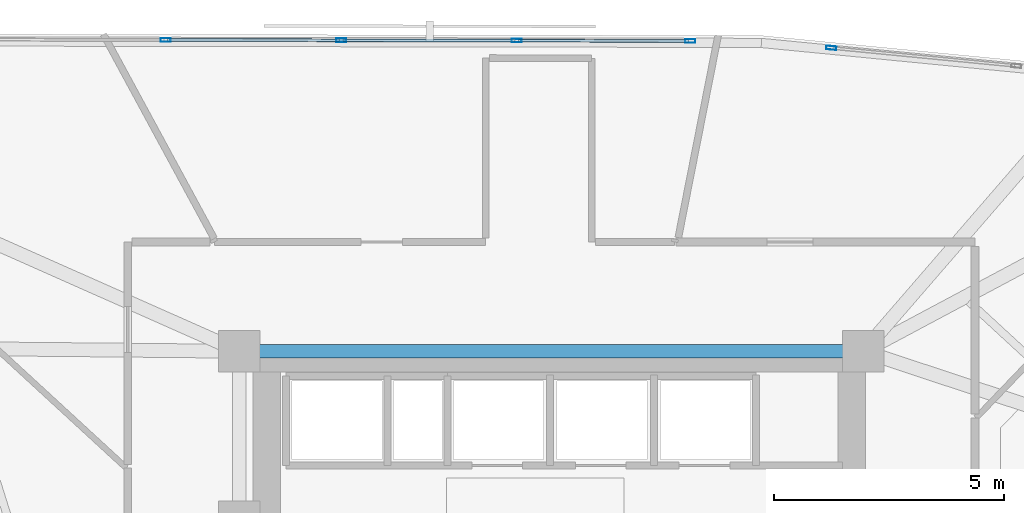
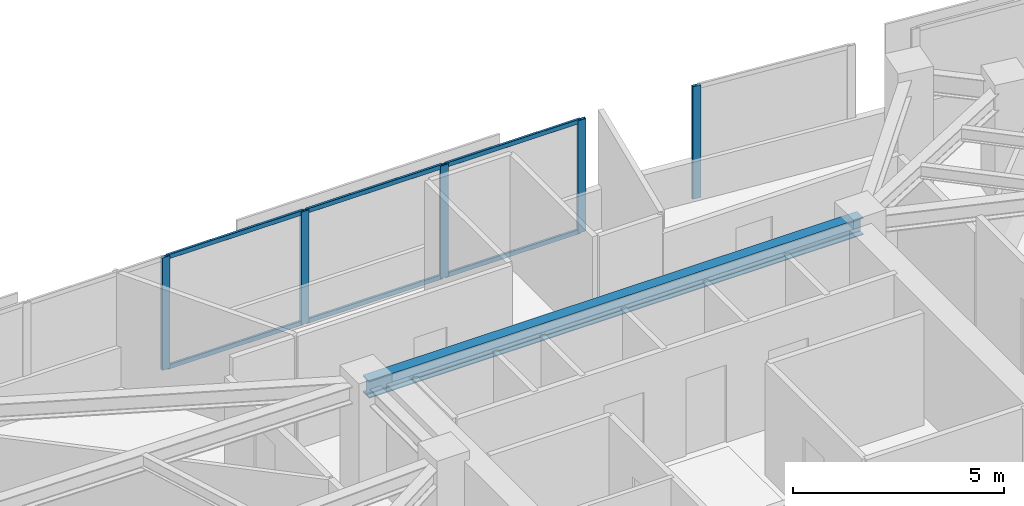
# One storey, part 3 of 13: 11 members, 1 beam, 2 elements without a shape of their own.
"""IFC4 building model written with IfcOpenShell, lengths in metres."""

import ifcopenshell
import ifcopenshell.guid

model = None  # the IFC model being written
_history = None  # IfcOwnerHistory: only IFC2X3 demands one
_inside = {}  # id of a spatial element -> (the spatial element, [elements in it])
_under = {}  # id of a project, library or spatial element -> (it, [spatial elements below it])
_declared = {}  # id of a project -> (the project, [libraries it declares])
_typed = {}  # id of a type object -> (the type object, [elements of that type])
_made_of = {}  # id of a material, layer set ... -> (it, [elements and type objects made of it])


def new_model(schema):
    """Start an empty IFC model of exactly this schema.

    Asked for "IFC4X3", IfcOpenShell would pick the latest addendum, in which some entities
    have other attributes; the version numbers below select the first issue.
    IFC2X3 requires an IfcOwnerHistory on every rooted entity: one is made here for all.
    """
    global model, _history
    if schema == "IFC4X3":
        model = ifcopenshell.file(schema_version=(4, 3, 0, 0))
    else:
        model = ifcopenshell.file(schema=schema)
    _inside.clear()
    _under.clear()
    _declared.clear()
    _typed.clear()
    _made_of.clear()
    _history = None
    if model.schema == "IFC2X3":
        org = make("IfcOrganization", Name="unknown")
        user = make(
            "IfcPersonAndOrganization",
            ThePerson=make("IfcPerson", FamilyName="unknown"),
            TheOrganization=org,
        )
        app = make(
            "IfcApplication",
            ApplicationDeveloper=org,
            Version="unknown",
            ApplicationFullName="unknown",
            ApplicationIdentifier="unknown",
        )
        _history = make(
            "IfcOwnerHistory",
            OwningUser=user,
            OwningApplication=app,
            ChangeAction="ADDED",
            CreationDate=0,
        )
    return model


def make(cls, **values):
    """One entity of the class cls with the attributes given. An attribute that is None is left unset."""
    return model.create_entity(
        cls, **{name: value for name, value in values.items() if value is not None}
    )


def rooted(cls, **values):
    """An entity with a GlobalId (a new one), such as an element, a storey or a relation."""
    return make(cls, GlobalId=ifcopenshell.guid.new(), OwnerHistory=_history, **values)


def si_unit(unit_type, name, prefix=None):
    """IfcSIUnit, for example si_unit("LENGTHUNIT", "METRE", prefix="MILLI")."""
    return make("IfcSIUnit", UnitType=unit_type, Prefix=prefix, Name=name)


def assignment(units):
    """IfcUnitAssignment: the units of a project."""
    return None if units is None else make("IfcUnitAssignment", Units=units)


def point(xyz):
    """IfcCartesianPoint."""
    return None if xyz is None else make("IfcCartesianPoint", Coordinates=xyz)


def direction(xyz):
    """IfcDirection."""
    return None if xyz is None else make("IfcDirection", DirectionRatios=xyz)


def frame(location, z_axis=None, x_axis=None):
    """IfcAxis2Placement3D, a coordinate frame: its origin and axes. An axis left out is left unset."""
    return make(
        "IfcAxis2Placement3D",
        Location=point(location),
        Axis=direction(z_axis),
        RefDirection=direction(x_axis),
    )


def frame_2d(location, x_axis=None):
    """IfcAxis2Placement2D, a coordinate frame in the plane: its origin and x axis."""
    return make(
        "IfcAxis2Placement2D", Location=point(location), RefDirection=direction(x_axis)
    )


def origin():
    """The frame at (0, 0, 0) with its axes left unset."""
    return frame((0.0, 0.0, 0.0))


def origin_2d():
    """The frame at (0, 0) in the plane with its x axis left unset."""
    return frame_2d((0.0, 0.0))


def place(relative_to, where):
    """IfcLocalPlacement: puts the frame where relative to a parent placement (None: the world)."""
    return make(
        "IfcLocalPlacement", PlacementRelTo=relative_to, RelativePlacement=where
    )


def context(
    kind, dimensions, precision=None, world=None, true_north=None, identifier=None
):
    """IfcGeometricRepresentationContext, for example the 3D "Model" context."""
    return make(
        "IfcGeometricRepresentationContext",
        ContextIdentifier=identifier,
        ContextType=kind,
        CoordinateSpaceDimension=dimensions,
        Precision=precision,
        WorldCoordinateSystem=world,
        TrueNorth=true_north,
    )


def subcontext(parent, identifier, kind, view, scale=None):
    """IfcGeometricRepresentationSubContext, for example "Body" below "Model"."""
    return make(
        "IfcGeometricRepresentationSubContext",
        ContextIdentifier=identifier,
        ContextType=kind,
        ParentContext=parent,
        TargetScale=scale,
        TargetView=view,
    )


def project(units=None, contexts=None):
    """IfcProject with its units and contexts."""
    return rooted(
        "IfcProject",
        Name="project",
        RepresentationContexts=contexts,
        UnitsInContext=assignment(units),
    )


def spatial(cls, under=None, at=None, **own):
    """A site, building, storey or space (cls), placed at a placement, below another one or the project."""
    s = rooted(cls, ObjectPlacement=at, **own)
    if under is not None:
        _under.setdefault(under.id(), (under, []))[1].append(s)
    return s


def profile(cls, at=None, kind="AREA", **sizes):
    """A parametric profile (cls). Its sizes go by their IFC names, for example OverallWidth=200.0."""
    return make(cls, ProfileType=kind, Position=at, **sizes)


def hollow_rectangle(**sizes):
    """IfcRectangleHollowProfileDef."""
    return profile("IfcRectangleHollowProfileDef", **sizes)


def i_section(**sizes):
    """IfcIShapeProfileDef."""
    return profile("IfcIShapeProfileDef", **sizes)


def extrude(swept, where, along, depth):
    """IfcExtrudedAreaSolid: the profile swept, set in the frame where, extruded along a direction by depth."""
    return make(
        "IfcExtrudedAreaSolid",
        SweptArea=swept,
        Position=where,
        ExtrudedDirection=direction(along),
        Depth=depth,
    )


def shape(context_of_items, identifier, shape_type, items):
    """IfcShapeRepresentation: the items that make up one representation, for example the "Body"."""
    return make(
        "IfcShapeRepresentation",
        ContextOfItems=context_of_items,
        RepresentationIdentifier=identifier,
        RepresentationType=shape_type,
        Items=items,
    )


def material(Name=None, Category=None):
    """IfcMaterial."""
    return make("IfcMaterial", Name=Name, Category=Category)


def material_profile(
    of_material, cross_section, Name=None, Category=None, Priority=None
):
    """IfcMaterialProfile: a cross section and its material."""
    return make(
        "IfcMaterialProfile",
        Name=Name,
        Material=of_material,
        Profile=cross_section,
        Priority=Priority,
        Category=Category,
    )


def profile_set(profiles, Name=None, composite=None):
    """IfcMaterialProfileSet."""
    return make(
        "IfcMaterialProfileSet",
        Name=Name,
        MaterialProfiles=profiles,
        CompositeProfile=composite,
    )


def made_of(thing, what):
    """Note that an element or type object is made of a material, layer set ...; save() writes the relation."""
    if what is not None:
        _made_of.setdefault(what.id(), (what, []))[1].append(thing)
    return thing


def type_object(cls, material=None, **own):
    """A type object (cls), such as IfcWallType, which elements share."""
    return made_of(rooted(cls, **own), material)


def element(
    cls,
    number,
    at=None,
    inside=None,
    cuts=None,
    type_object=None,
    material=None,
    context=None,
    identifier="Body",
    shape_type=None,
    held_by="IfcProductDefinitionShape",
    body=None,
    shapes=None,
    **own,
):
    """One element of the class cls, such as IfcWall. Its Tag is "e" and its number.

    at: its placement. inside: the storey or other place that contains it. cuts: it is an
    opening in that element (IfcRelVoidsElement). A single representation is given by context,
    identifier, shape_type and body (its items); several are given by shapes. held_by: the class
    of the entity that holds the representations. save() writes the other relations.
    """
    e = rooted(cls, Tag="e%d" % number, ObjectPlacement=at, **own)
    if body is not None:
        shapes = [shape(context, identifier, shape_type, body)]
    if shapes is not None:
        e.Representation = make(held_by, Representations=shapes)
    if inside is not None:
        _inside.setdefault(inside.id(), (inside, []))[1].append(e)
    if cuts is not None:
        rooted(
            "IfcRelVoidsElement", RelatingBuildingElement=cuts, RelatedOpeningElement=e
        )
    if type_object is not None:
        _typed.setdefault(type_object.id(), (type_object, []))[1].append(e)
    return made_of(e, material)


def aggregate(whole, parts):
    """IfcRelAggregates: a whole, such as a stair, and the parts it consists of."""
    return rooted("IfcRelAggregates", RelatingObject=whole, RelatedObjects=parts)


def save(model, path):
    """Write the relations noted so far, then the file.

    IfcRelAggregates (storeys below a building ...), IfcRelContainedInSpatialStructure (elements
    in a storey), IfcRelDefinesByType, IfcRelAssociatesMaterial and IfcRelDeclares: one each for
    every whole, place, type object, material and project.
    """
    for whole, parts in _under.values():
        aggregate(whole, parts)
    for where, things in _inside.values():
        rooted(
            "IfcRelContainedInSpatialStructure",
            RelatedElements=things,
            RelatingStructure=where,
        )
    for kind, things in _typed.values():
        rooted("IfcRelDefinesByType", RelatedObjects=things, RelatingType=kind)
    for what, things in _made_of.values():
        rooted("IfcRelAssociatesMaterial", RelatedObjects=things, RelatingMaterial=what)
    for by, libraries in _declared.values():
        rooted("IfcRelDeclares", RelatingContext=by, RelatedDefinitions=libraries)
    model.write(path)


model = new_model("IFC4")

# Units and contexts
model_context = context("Model", 3, precision=1e-05, world=origin(), true_north=direction((0.0, 1.0)))
body_context = subcontext(model_context, "Body", "Model", "MODEL_VIEW")
ifc_project = project(units=[si_unit("LENGTHUNIT", "METRE"), si_unit("AREAUNIT", "SQUARE_METRE"), si_unit("VOLUMEUNIT", "CUBIC_METRE"), si_unit("PLANEANGLEUNIT", "RADIAN"), si_unit("MASSUNIT", "GRAM", prefix="KILO")], contexts=[model_context])

# Site, building, storey
site_placement = place(None, origin())
site = spatial("IfcSite", under=ifc_project, at=site_placement, CompositionType="ELEMENT")
building_placement = place(site_placement, origin())
building = spatial("IfcBuilding", under=site, at=building_placement, Name="Narakoshi Arena Tower", CompositionType="ELEMENT")
storey_placement = place(building_placement, frame((0.0, 0.0, 239.6201171875)))
storey = spatial("IfcBuildingStorey", under=building, at=storey_placement, Name="L65", CompositionType="ELEMENT", Elevation=239.6201171875)

# Beam
ifc_material_1 = material(Name="Structural steel S355J2", Category="steel")
ifc_material_profile_1 = material_profile(ifc_material_1, i_section(OverallWidth=0.300048828125, OverallDepth=0.5, WebThickness=0.014404296875, FlangeThickness=0.028076171875, FilletRadius=0.027099609375, at=origin_2d()), Name="HE500B")
ifc_profile_set_1 = profile_set([ifc_material_profile_1], Name="Structural steel S355J2")
beam_type = type_object("IfcBeamType", Name="BM-PRI-500", PredefinedType="BEAM", material=ifc_profile_set_1)
beam_placement = place(storey_placement, frame((72.0, 56.5, 3.009765625), z_axis=(1.0, 0.0, 0.0), x_axis=(0.0, 1.0, 0.0)))
element("IfcBeam", 1, at=beam_placement, inside=storey, type_object=beam_type, Name="L65 Core Perimeter Frame Beam CC5-CC6", PredefinedType="BEAM", context=body_context, shape_type="SweptSolid", body=[
    extrude(i_section(OverallWidth=0.300048828125, OverallDepth=0.5, WebThickness=0.014404296875, FlangeThickness=0.028076171875, FilletRadius=0.027099609375, at=origin_2d()), origin(), (0.0, 0.0, 1.0), 13.550048828125),
])

# Curtain wall, member
ifc_material_2 = material(Name="Anodised bronze aluminium 6063-T6", Category="aluminium")
curtain_wall_type = type_object("IfcCurtainWallType", Name="CW-HYP-HIGH", PredefinedType="NOTDEFINED", material=ifc_material_2)
curtain_wall_1_placement = place(storey_placement, origin())
curtain_wall_1 = element("IfcCurtainWall", 2, at=curtain_wall_1_placement, inside=storey, type_object=curtain_wall_type, Name="L65 Folded Hypotenuse Curtain Wall 1-2", PredefinedType="NOTDEFINED")
ifc_material_profile_2 = material_profile(ifc_material_2, hollow_rectangle(XDim=0.080078125, YDim=0.219970703125, WallThickness=0.0048828125, OuterFilletRadius=0.006103515625, at=origin_2d()), Name="MUL220x80x5")
ifc_profile_set_2 = profile_set([ifc_material_profile_2], Name="Anodised bronze aluminium 6063-T6")
member_type_1 = type_object("IfcMemberType", Name="MEM-MUL-220", PredefinedType="MULLION", material=ifc_profile_set_2)
member_1_placement = place(storey_placement, frame((84.853515625, 63.084716796875, 0.0), z_axis=(0.0, 0.0, 1.0), x_axis=(-0.096842858471, -0.995299683896, 0.0)))
member_1 = element("IfcMember", 3, at=member_1_placement, type_object=member_type_1, Name="CW-03 mullion 2", PredefinedType="MULLION", context=body_context, shape_type="SweptSolid", body=[
    extrude(hollow_rectangle(XDim=0.080078125, YDim=0.219970703125, WallThickness=0.0048828125, OuterFilletRadius=0.006103515625, at=origin_2d()), origin(), (0.0, 0.0, 1.0), 3.259765625),
])
aggregate(curtain_wall_1, [member_1])

# Curtain wall, members
curtain_wall_2_placement = place(storey_placement, origin())
curtain_wall_2 = element("IfcCurtainWall", 4, at=curtain_wall_2_placement, inside=storey, type_object=curtain_wall_type, Name="L65 Folded Hypotenuse Curtain Wall 2-1", PredefinedType="NOTDEFINED")
member_2_placement = place(storey_placement, frame((81.792236328125, 63.236083984375, 0.0), z_axis=(0.0, 0.0, 1.0), x_axis=(-0.001819896899, -0.999998343986, 0.0)))
member_2 = element("IfcMember", 5, at=member_2_placement, type_object=member_type_1, Name="CW-03 mullion 1", PredefinedType="MULLION", context=body_context, shape_type="SweptSolid", body=[
    extrude(hollow_rectangle(XDim=0.080078125, YDim=0.219970703125, WallThickness=0.0048828125, OuterFilletRadius=0.006103515625, at=origin_2d()), origin(), (0.0, 0.0, 1.0), 3.259765625),
])
member_3_placement = place(storey_placement, frame((78.0224609375, 63.242919921875, 0.0), z_axis=(0.0, 0.0, 1.0), x_axis=(-0.001819896899, -0.999998343986, 0.0)))
member_3 = element("IfcMember", 6, at=member_3_placement, type_object=member_type_1, Name="CW-03 mullion 2", PredefinedType="MULLION", context=body_context, shape_type="SweptSolid", body=[
    extrude(hollow_rectangle(XDim=0.080078125, YDim=0.219970703125, WallThickness=0.0048828125, OuterFilletRadius=0.006103515625, at=origin_2d()), origin(), (0.0, 0.0, 1.0), 3.259765625),
])
member_4_placement = place(storey_placement, frame((74.212890625, 63.249755859375, 0.0), z_axis=(0.0, 0.0, 1.0), x_axis=(-0.001819896899, -0.999998343986, 0.0)))
member_4 = element("IfcMember", 7, at=member_4_placement, type_object=member_type_1, Name="CW-03 mullion 3", PredefinedType="MULLION", context=body_context, shape_type="SweptSolid", body=[
    extrude(hollow_rectangle(XDim=0.080078125, YDim=0.219970703125, WallThickness=0.0048828125, OuterFilletRadius=0.006103515625, at=origin_2d()), origin(), (0.0, 0.0, 1.0), 3.259765625),
])
member_5_placement = place(storey_placement, frame((70.403076171875, 63.2568359375, 0.0), z_axis=(0.0, 0.0, 1.0), x_axis=(-0.001819896899, -0.999998343986, 0.0)))
member_5 = element("IfcMember", 8, at=member_5_placement, type_object=member_type_1, Name="CW-03 mullion 4", PredefinedType="MULLION", context=body_context, shape_type="SweptSolid", body=[
    extrude(hollow_rectangle(XDim=0.080078125, YDim=0.219970703125, WallThickness=0.0048828125, OuterFilletRadius=0.006103515625, at=origin_2d()), origin(), (0.0, 0.0, 1.0), 3.259765625),
])
ifc_material_profile_3 = material_profile(ifc_material_2, hollow_rectangle(XDim=0.06494140625, YDim=0.1298828125, WallThickness=0.00390625, OuterFilletRadius=0.0048828125, at=origin_2d()), Name="TRN130x65x4")
ifc_profile_set_3 = profile_set([ifc_material_profile_3], Name="Anodised bronze aluminium 6063-T6")
member_type_2 = type_object("IfcMemberType", Name="MEM-TRN-130", PredefinedType="USERDEFINED", material=ifc_profile_set_3)
member_6_placement = place(storey_placement, frame((81.752197265625, 63.236083984375, 0.032470703125), z_axis=(-0.999998283738, 0.001852706408, 0.0), x_axis=(-0.001852706408, -0.999998283738, 0.0)))
member_6 = element("IfcMember", 9, at=member_6_placement, type_object=member_type_2, Name="CW-03 transom 1.1", ObjectType="TRANSOM", PredefinedType="USERDEFINED", context=body_context, shape_type="SweptSolid", body=[
    extrude(hollow_rectangle(XDim=0.06494140625, YDim=0.1298828125, WallThickness=0.00390625, OuterFilletRadius=0.0048828125, at=origin_2d()), origin(), (0.0, 0.0, 1.0), 3.689697265625),
])
member_7_placement = place(storey_placement, frame((81.752197265625, 63.236083984375, 3.227294921875), z_axis=(-0.999998283738, 0.001852706408, 0.0), x_axis=(-0.001852706408, -0.999998283738, 0.0)))
member_7 = element("IfcMember", 10, at=member_7_placement, type_object=member_type_2, Name="CW-03 transom 1.2", ObjectType="TRANSOM", PredefinedType="USERDEFINED", context=body_context, shape_type="SweptSolid", body=[
    extrude(hollow_rectangle(XDim=0.06494140625, YDim=0.1298828125, WallThickness=0.00390625, OuterFilletRadius=0.0048828125, at=origin_2d()), origin(), (0.0, 0.0, 1.0), 3.689697265625),
])
member_8_placement = place(storey_placement, frame((77.982666015625, 63.242919921875, 0.032470703125), z_axis=(-0.999998320389, 0.001832817502, 0.0), x_axis=(-0.001832817502, -0.999998320389, 0.0)))
member_8 = element("IfcMember", 11, at=member_8_placement, type_object=member_type_2, Name="CW-03 transom 2.1", ObjectType="TRANSOM", PredefinedType="USERDEFINED", context=body_context, shape_type="SweptSolid", body=[
    extrude(hollow_rectangle(XDim=0.06494140625, YDim=0.1298828125, WallThickness=0.00390625, OuterFilletRadius=0.0048828125, at=origin_2d()), origin(), (0.0, 0.0, 1.0), 3.729736328125),
])
member_9_placement = place(storey_placement, frame((77.982666015625, 63.242919921875, 3.227294921875), z_axis=(-0.999998320389, 0.001832817502, 0.0), x_axis=(-0.001832817502, -0.999998320389, 0.0)))
member_9 = element("IfcMember", 12, at=member_9_placement, type_object=member_type_2, Name="CW-03 transom 2.2", ObjectType="TRANSOM", PredefinedType="USERDEFINED", context=body_context, shape_type="SweptSolid", body=[
    extrude(hollow_rectangle(XDim=0.06494140625, YDim=0.1298828125, WallThickness=0.00390625, OuterFilletRadius=0.0048828125, at=origin_2d()), origin(), (0.0, 0.0, 1.0), 3.729736328125),
])
member_10_placement = place(storey_placement, frame((74.1728515625, 63.25, 0.032470703125), z_axis=(-0.999998320389, 0.001832817502, 0.0), x_axis=(-0.001832817502, -0.999998320389, 0.0)))
member_10 = element("IfcMember", 13, at=member_10_placement, type_object=member_type_2, Name="CW-03 transom 3.1", ObjectType="TRANSOM", PredefinedType="USERDEFINED", context=body_context, shape_type="SweptSolid", body=[
    extrude(hollow_rectangle(XDim=0.06494140625, YDim=0.1298828125, WallThickness=0.00390625, OuterFilletRadius=0.0048828125, at=origin_2d()), origin(), (0.0, 0.0, 1.0), 3.729736328125),
])
member_11_placement = place(storey_placement, frame((74.1728515625, 63.25, 3.227294921875), z_axis=(-0.999998320389, 0.001832817502, 0.0), x_axis=(-0.001832817502, -0.999998320389, 0.0)))
member_11 = element("IfcMember", 14, at=member_11_placement, type_object=member_type_2, Name="CW-03 transom 3.2", ObjectType="TRANSOM", PredefinedType="USERDEFINED", context=body_context, shape_type="SweptSolid", body=[
    extrude(hollow_rectangle(XDim=0.06494140625, YDim=0.1298828125, WallThickness=0.00390625, OuterFilletRadius=0.0048828125, at=origin_2d()), origin(), (0.0, 0.0, 1.0), 3.729736328125),
])
aggregate(curtain_wall_2, [member_2, member_3, member_4, member_5, member_6, member_7, member_8, member_9, member_10, member_11])

save(model, "model.ifc")
